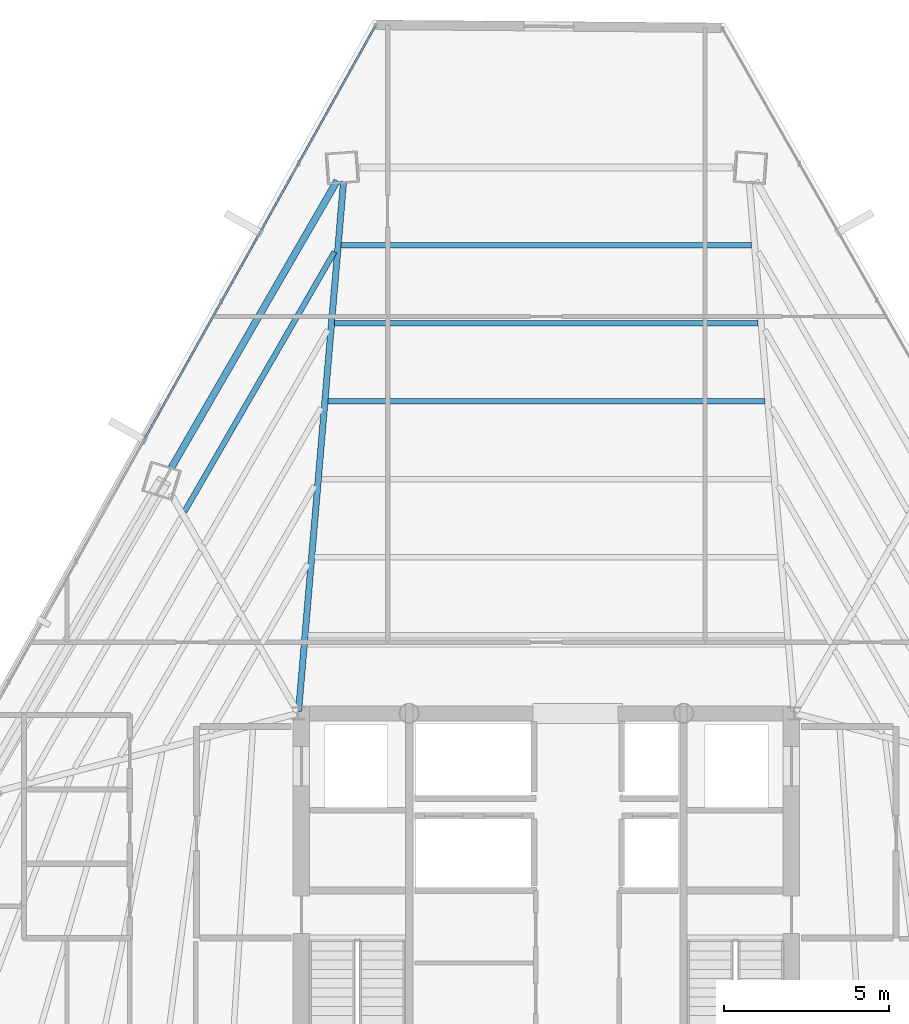
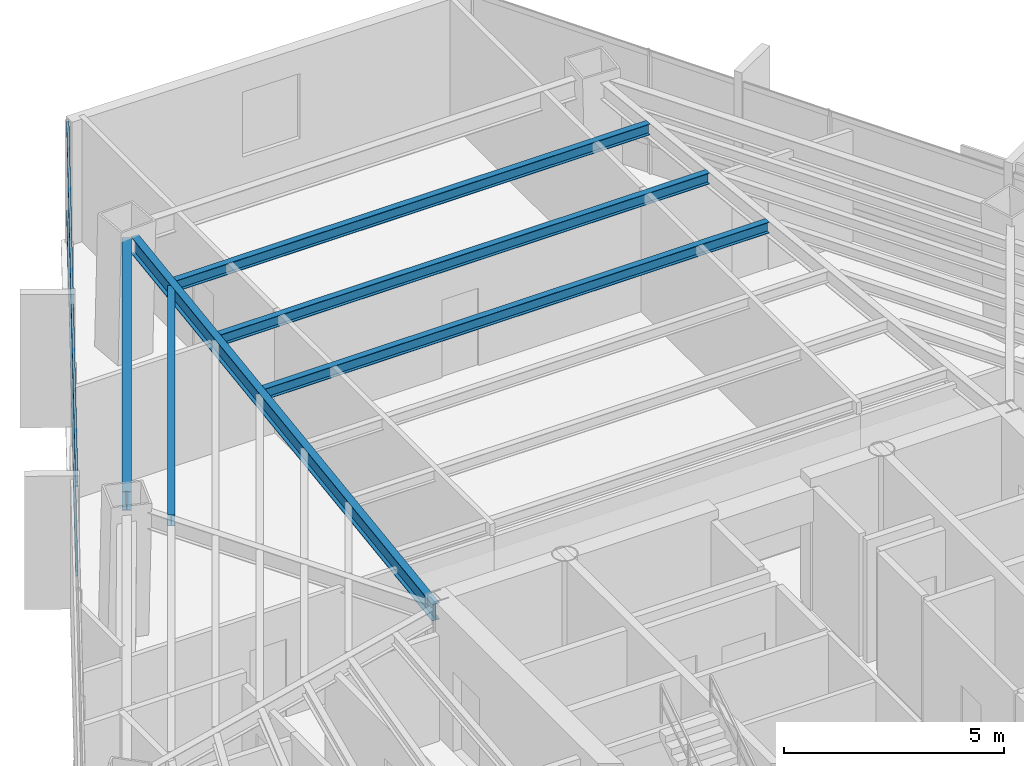
# One storey, part 27 of 38: 6 beams, 2 members, 1 element without a shape of its own.
"""IFC4 building model written with IfcOpenShell, lengths in metres."""

from ifc_helpers import new_model, si_unit, direction, frame, origin, origin_2d, place, context, subcontext, project, spatial, hollow_rectangle, i_section, extrude, source, transform, mapped, material, material_profile, profile_set, type_object, type_shapes, element, aggregate, save


model = new_model("IFC4")

# Units and contexts
model_context = context("Model", 3, precision=1e-05, world=origin(), true_north=direction((0.0, 1.0)))
body_context = subcontext(model_context, "Body", "Model", "MODEL_VIEW")
ifc_project = project(units=[si_unit("LENGTHUNIT", "METRE"), si_unit("AREAUNIT", "SQUARE_METRE"), si_unit("VOLUMEUNIT", "CUBIC_METRE"), si_unit("PLANEANGLEUNIT", "RADIAN"), si_unit("MASSUNIT", "GRAM", prefix="KILO")], contexts=[model_context])

# Site, building, storey
site_placement = place(None, origin())
site = spatial("IfcSite", under=ifc_project, at=site_placement, CompositionType="ELEMENT")
building_placement = place(site_placement, origin())
building = spatial("IfcBuilding", under=site, at=building_placement, Name="Caelisora Broadcast Tower", CompositionType="ELEMENT")
storey_placement = place(building_placement, frame((0.0, 0.0, 158.5)))
storey = spatial("IfcBuildingStorey", under=building, at=storey_placement, Name="L41", CompositionType="ELEMENT", Elevation=158.5)

# Beams
ifc_material_1 = material(Name="Steel Grade 350 (AS/NZS 3679.1)", Category="steel")
ifc_material_profile_1 = material_profile(ifc_material_1, i_section(OverallWidth=0.208984375, OverallDepth=0.532958984375, WebThickness=0.01025390625, FlangeThickness=0.015625, at=origin_2d()), Name="Steel Grade 350 (AS/NZS 3679.1)")
ifc_profile_set_1 = profile_set([ifc_material_profile_1], Name="Steel Grade 350 (AS/NZS 3679.1)")
beam_type_1 = type_object("IfcBeamType", Name="PG05", PredefinedType="BEAM", material=ifc_profile_set_1)
shared_shape_1 = source(origin(), body_context, "Body", "SweptSolid", [
    extrude(i_section(OverallWidth=0.208984375, OverallDepth=0.532958984375, WebThickness=0.01025390625, FlangeThickness=0.015625, at=origin_2d()), origin(), (0.0, 0.0, 1.0), 10.042724609375),
])
type_shapes(beam_type_1, [shared_shape_1])
beam_1_placement = place(storey_placement, frame((31.672607421875, 46.1103515625, 3.133544921875), z_axis=(-0.500008642379, -0.866020414047, 0.0), x_axis=(0.866020414047, -0.500008642379, 0.0)))
element("IfcBeam", 1, at=beam_1_placement, inside=storey, type_object=beam_type_1, Name="L41 beam PG05", PredefinedType="BEAM", context=body_context, shape_type="MappedRepresentation", body=[
    mapped(shared_shape_1, transform((0.0, 0.0, 0.0), scale=1.0)),
])
ifc_material_profile_2 = material_profile(ifc_material_1, i_section(OverallWidth=0.19091796875, OverallDepth=0.46044921875, WebThickness=0.010009765625, FlangeThickness=0.01611328125, at=origin_2d()), Name="Steel Grade 350 (AS/NZS 3679.1)")
ifc_profile_set_2 = profile_set([ifc_material_profile_2], Name="Steel Grade 350 (AS/NZS 3679.1)")
beam_type_2 = type_object("IfcBeamType", Name="PG06", PredefinedType="BEAM", material=ifc_profile_set_2)
shared_shape_2 = source(origin(), body_context, "Body", "SweptSolid", [
    extrude(i_section(OverallWidth=0.19091796875, OverallDepth=0.46044921875, WebThickness=0.010009765625, FlangeThickness=0.01611328125, at=origin_2d()), origin(), (0.0, 0.0, 1.0), 16.08837890625),
])
type_shapes(beam_type_2, [shared_shape_2])
beam_2_placement = place(storey_placement, frame((30.505126953125, 30.059814453125, 3.169921875), z_axis=(0.084646605405, 0.996411035765, 0.0), x_axis=(-0.996411035765, 0.084646605405, 0.0)))
element("IfcBeam", 2, at=beam_2_placement, inside=storey, type_object=beam_type_2, Name="L41 beam PG06", PredefinedType="BEAM", context=body_context, shape_type="MappedRepresentation", body=[
    mapped(shared_shape_2, transform((0.0, 0.0, 0.0), scale=1.0)),
])
ifc_material_profile_3 = material_profile(ifc_material_1, i_section(OverallWidth=0.166015625, OverallDepth=0.30712890625, WebThickness=0.006591796875, FlangeThickness=0.01171875, at=origin_2d()), Name="Steel Grade 350 (AS/NZS 3679.1)")
ifc_profile_set_3 = profile_set([ifc_material_profile_3], Name="Steel Grade 350 (AS/NZS 3679.1)")
beam_type_3 = type_object("IfcBeamType", Name="SB03", PredefinedType="JOIST", material=ifc_profile_set_3)
shared_shape_3 = source(origin(), body_context, "Body", "SweptSolid", [
    extrude(i_section(OverallWidth=0.166015625, OverallDepth=0.30712890625, WebThickness=0.006591796875, FlangeThickness=0.01171875, at=origin_2d()), origin(), (0.0, 0.0, 1.0), 13.21142578125),
])
beam_3_placement = place(storey_placement, frame((44.605712890625, 39.43359375, 3.246337890625), z_axis=(-1.0, 0.0, 0.0), x_axis=(0.0, -1.0, 0.0)))
element("IfcBeam", 3, at=beam_3_placement, inside=storey, type_object=beam_type_3, Name="L41 beam SB03", PredefinedType="JOIST", context=body_context, shape_type="MappedRepresentation", body=[
    mapped(shared_shape_3, transform((0.0, 0.0, 0.0), scale=1.0)),
])
shared_shape_4 = source(origin(), body_context, "Body", "SweptSolid", [
    extrude(i_section(OverallWidth=0.166015625, OverallDepth=0.30712890625, WebThickness=0.006591796875, FlangeThickness=0.01171875, at=origin_2d()), origin(), (0.0, 0.0, 1.0), 12.810546875),
])
beam_4_placement = place(storey_placement, frame((44.4052734375, 41.7919921875, 3.246337890625), z_axis=(-1.0, 0.0, 0.0), x_axis=(0.0, -1.0, 0.0)))
element("IfcBeam", 4, at=beam_4_placement, inside=storey, type_object=beam_type_3, Name="L41 beam SB03", PredefinedType="JOIST", context=body_context, shape_type="MappedRepresentation", body=[
    mapped(shared_shape_4, transform((0.0, 0.0, 0.0), scale=1.0)),
])
shared_shape_5 = source(origin(), body_context, "Body", "SweptSolid", [
    extrude(i_section(OverallWidth=0.166015625, OverallDepth=0.30712890625, WebThickness=0.006591796875, FlangeThickness=0.01171875, at=origin_2d()), origin(), (0.0, 0.0, 1.0), 12.41015625),
])
beam_5_placement = place(storey_placement, frame((44.205078125, 44.150390625, 3.246337890625), z_axis=(-1.0, 0.0, 0.0), x_axis=(0.0, -1.0, 0.0)))
element("IfcBeam", 5, at=beam_5_placement, inside=storey, type_object=beam_type_3, Name="L41 beam SB03", PredefinedType="JOIST", context=body_context, shape_type="MappedRepresentation", body=[
    mapped(shared_shape_5, transform((0.0, 0.0, 0.0), scale=1.0)),
])
shared_shape_6 = source(origin(), body_context, "Body", "SweptSolid", [
    extrude(i_section(OverallWidth=0.166015625, OverallDepth=0.30712890625, WebThickness=0.006591796875, FlangeThickness=0.01171875, at=origin_2d()), origin(), (0.0, 0.0, 1.0), 9.06787109375),
])
type_shapes(beam_type_3, [shared_shape_3, shared_shape_4, shared_shape_5, shared_shape_6])
beam_6_placement = place(storey_placement, frame((31.59130859375, 43.958251953125, 3.246337890625), z_axis=(-0.499999015427, -0.866025972227, 0.0), x_axis=(0.866025972227, -0.499999015427, 0.0)))
element("IfcBeam", 6, at=beam_6_placement, inside=storey, type_object=beam_type_3, Name="L41 beam SB03", PredefinedType="JOIST", context=body_context, shape_type="MappedRepresentation", body=[
    mapped(shared_shape_6, transform((0.0, 0.0, 0.0), scale=1.0)),
])

# Curtain wall, members
ifc_material_2 = material(Name="Unitised Aluminium and Low-E Glass Curtain Wall", Category="glass")
curtain_wall_type = type_object("IfcCurtainWallType", Name="CW-Z3", PredefinedType="NOTDEFINED", material=ifc_material_2)
curtain_wall_placement = place(storey_placement, origin())
curtain_wall = element("IfcCurtainWall", 7, at=curtain_wall_placement, inside=storey, type_object=curtain_wall_type, Name="L41 curtain wall CW-Z3", PredefinedType="NOTDEFINED")
ifc_material_3 = material(Name="Aluminium 6063-T6 Anodised Terracotta Bronze", Category="aluminium")
ifc_material_profile_4 = material_profile(ifc_material_3, hollow_rectangle(XDim=0.06005859375, YDim=0.14990234375, WallThickness=0.00341796875, at=origin_2d()), Name="Aluminium 6063-T6 Anodised Terracotta Bronze")
ifc_profile_set_4 = profile_set([ifc_material_profile_4], Name="Aluminium 6063-T6 Anodised Terracotta Bronze")
member_type = type_object("IfcMemberType", Name="CWT-02", PredefinedType="USERDEFINED", material=ifc_profile_set_4)
shared_shape_7 = source(origin(), body_context, "Body", "SweptSolid", [
    extrude(hollow_rectangle(XDim=0.06005859375, YDim=0.14990234375, WallThickness=0.00341796875, at=origin_2d()), origin(), (0.0, 0.0, 1.0), 14.26904296875),
])
type_shapes(member_type, [shared_shape_7])
member_1_placement = place(storey_placement, frame((25.861083984375, 38.317626953125, 0.85009765625), z_axis=(0.487598540598, 0.873067960245, 0.0), x_axis=(-0.873067960245, 0.487598540598, 0.0)))
member_1 = element("IfcMember", 8, at=member_1_placement, type_object=member_type, Name="L41-CW-B11 transom #1", ObjectType="TRANSOM", PredefinedType="USERDEFINED", context=body_context, shape_type="MappedRepresentation", body=[
    mapped(shared_shape_7, transform((0.0, 0.0, 0.0), scale=1.0)),
])
member_2_placement = place(storey_placement, frame((25.861083984375, 38.317626953125, 3.320068359375), z_axis=(0.487598540598, 0.873067960245, 0.0), x_axis=(-0.873067960245, 0.487598540598, 0.0)))
member_2 = element("IfcMember", 9, at=member_2_placement, type_object=member_type, Name="L41-CW-B11 transom #2", ObjectType="TRANSOM", PredefinedType="USERDEFINED", context=body_context, shape_type="MappedRepresentation", body=[
    mapped(shared_shape_7, transform((0.0, 0.0, 0.0), scale=1.0)),
])
aggregate(curtain_wall, [member_1, member_2])

save(model, "model.ifc")
